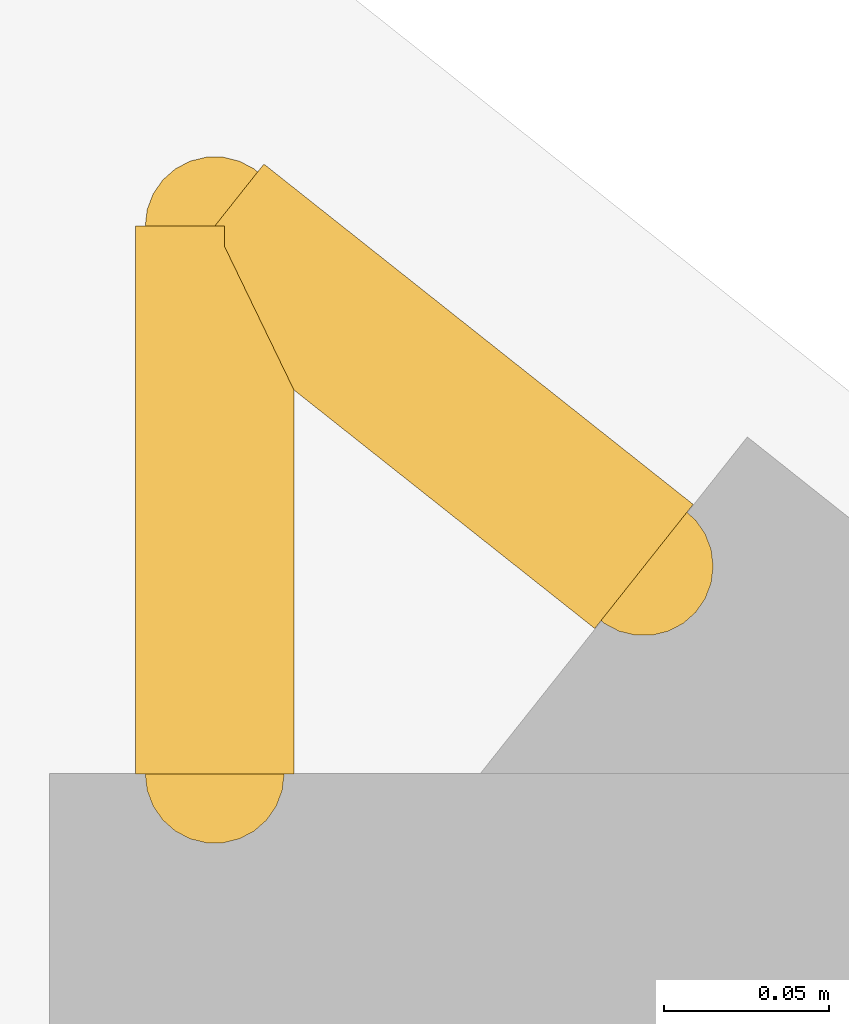
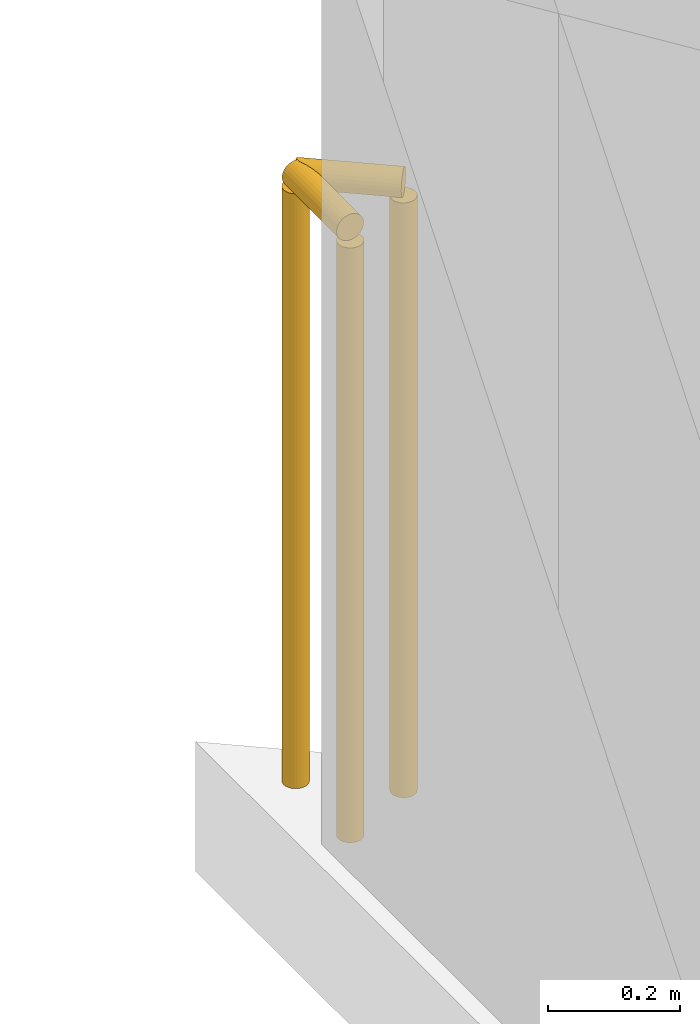
# One storey, part 16 of 16: 2 railings.
"""IFC4 building model written with IfcOpenShell, lengths in metres."""

from ifc_helpers import new_model, si_unit, direction, frame, origin, origin_2d, place, context, subcontext, project, spatial, circle, extrude, material, type_object, element, save


model = new_model("IFC4")

# Units and contexts
model_context = context("Model", 3, precision=1e-05, world=origin(), true_north=direction((0.0, 1.0)))
body_context = subcontext(model_context, "Body", "Model", "MODEL_VIEW")
ifc_project = project(units=[si_unit("LENGTHUNIT", "METRE"), si_unit("AREAUNIT", "SQUARE_METRE"), si_unit("VOLUMEUNIT", "CUBIC_METRE"), si_unit("PLANEANGLEUNIT", "RADIAN"), si_unit("MASSUNIT", "GRAM", prefix="KILO")], contexts=[model_context])

# Site, building, storey
site_placement = place(None, origin())
site = spatial("IfcSite", under=ifc_project, at=site_placement, CompositionType="ELEMENT")
building_placement = place(site_placement, origin())
building = spatial("IfcBuilding", under=site, at=building_placement, Name="Varnakote Quay Hospital", CompositionType="ELEMENT")
storey_placement = place(building_placement, frame((0.0, 0.0, 260.5)))
storey = spatial("IfcBuildingStorey", under=building, at=storey_placement, Name="L64", CompositionType="ELEMENT", Elevation=260.5)

# Railings
ifc_material = material(Name="Anodised aluminium 6063-T6 Bronze", Category="aluminium")
railing_type = type_object("IfcRailingType", Name="RLG-EXT-GUARD-1150", PredefinedType="GUARDRAIL", material=ifc_material)
railing_1_placement = place(storey_placement, frame((2.47998046875, 41.268798828125, 0.0)))
element("IfcRailing", 1, at=railing_1_placement, inside=storey, type_object=railing_type, Name="L64 Slab Edge Perimeter Safety Guard", PredefinedType="GUARDRAIL", context=body_context, shape_type="SweptSolid", body=[
    extrude(circle(Radius=0.02392578125, at=origin_2d()), frame((0.0, 0.0, 1.1259765625), z_axis=(0.0, 1.0, 0.0), x_axis=(-1.0, 0.0, 0.0)), (0.0, 0.0, 1.0), 0.16552734375),
    extrude(circle(Radius=0.02099609375, at=origin_2d()), origin(), (0.0, 0.0, 1.0), 1.101806640625),
    extrude(circle(Radius=0.02099609375, at=origin_2d()), frame((0.0, 0.16552734375, 0.0)), (0.0, 0.0, 1.0), 1.101806640625),
])
railing_2_placement = place(storey_placement, frame((2.47998046875, 41.434326171875, 0.0)))
element("IfcRailing", 2, at=railing_2_placement, inside=storey, type_object=railing_type, Name="L64 Slab Edge Perimeter Safety Guard", PredefinedType="GUARDRAIL", context=body_context, shape_type="SweptSolid", body=[
    extrude(circle(Radius=0.02392578125, at=origin_2d()), frame((0.0, 0.0, 1.1259765625), z_axis=(0.783596767237, -0.621269753308, 0.0), x_axis=(0.621269753308, 0.783596767237, 0.0)), (0.0, 0.0, 1.0), 0.16552734375),
    extrude(circle(Radius=0.02099609375, at=origin_2d()), origin(), (0.0, 0.0, 1.0), 1.101806640625),
    extrude(circle(Radius=0.02099609375, at=origin_2d()), frame((0.129638671875, -0.102783203125, 0.0)), (0.0, 0.0, 1.0), 1.101806640625),
])

save(model, "model.ifc")
